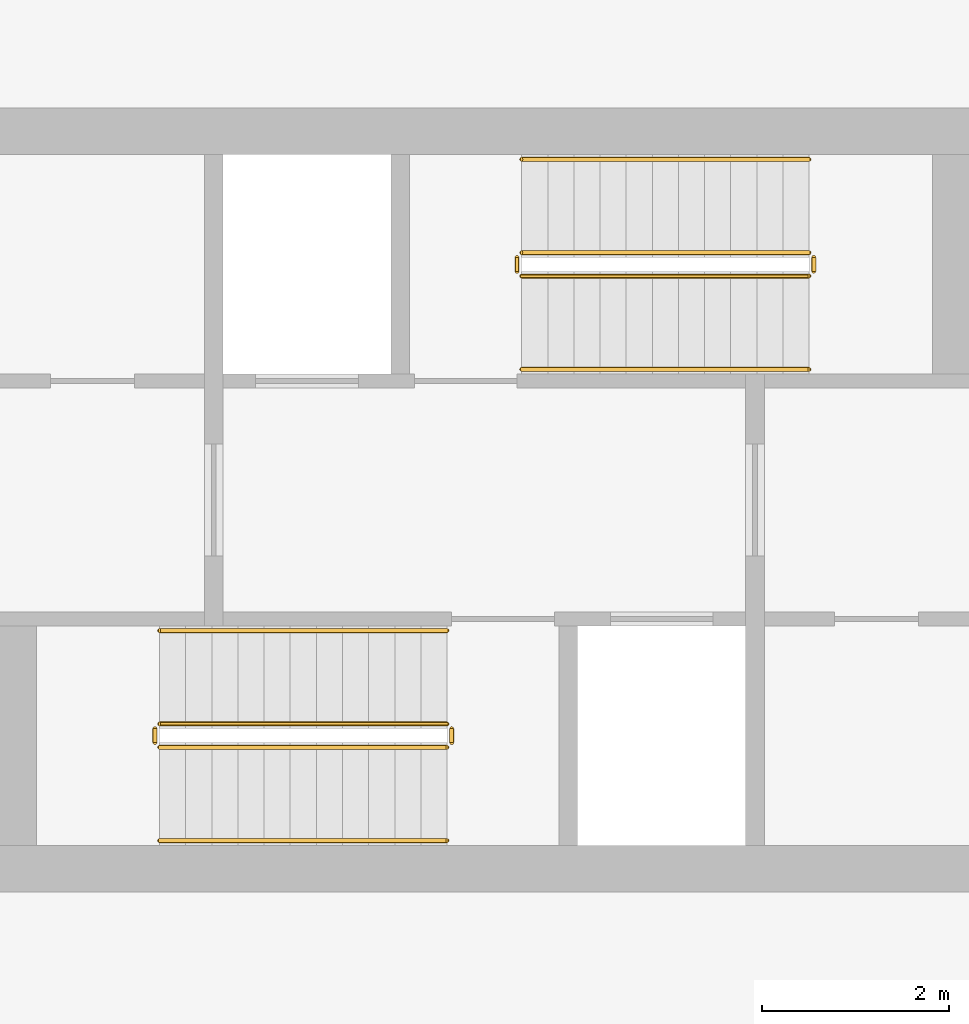
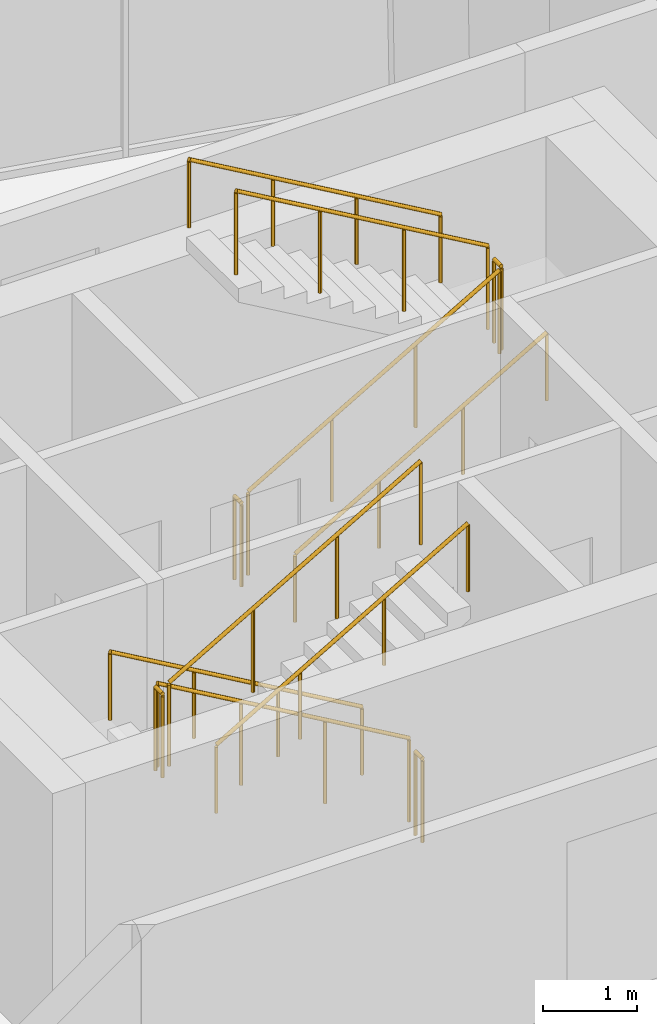
# One storey, part 10 of 10: 12 railings.
"""IFC4 building model written with IfcOpenShell, lengths in metres."""

from ifc_helpers import new_model, si_unit, direction, frame, origin, origin_2d, place, context, subcontext, project, spatial, circle, extrude, material, type_object, element, save


model = new_model("IFC4")

# Units and contexts
model_context = context("Model", 3, precision=1e-05, world=origin(), true_north=direction((0.0, 1.0)))
body_context = subcontext(model_context, "Body", "Model", "MODEL_VIEW")
ifc_project = project(units=[si_unit("LENGTHUNIT", "METRE"), si_unit("AREAUNIT", "SQUARE_METRE"), si_unit("VOLUMEUNIT", "CUBIC_METRE"), si_unit("PLANEANGLEUNIT", "RADIAN"), si_unit("MASSUNIT", "GRAM", prefix="KILO")], contexts=[model_context])

# Site, building, storey
site_placement = place(None, origin())
site = spatial("IfcSite", under=ifc_project, at=site_placement, CompositionType="ELEMENT")
building_placement = place(site_placement, origin())
building = spatial("IfcBuilding", under=site, at=building_placement, Name="Siaravel Broadcast Tower", CompositionType="ELEMENT")
storey_placement = place(building_placement, frame((0.0, 0.0, 272.60009765625)))
storey = spatial("IfcBuildingStorey", under=building, at=storey_placement, Name="L66", CompositionType="ELEMENT", Elevation=272.60009765625)

# Railings
ifc_material = material(Name="Stainless steel 316L", Category="steel")
railing_type_1 = type_object("IfcRailingType", Name="Stair guard 1100", PredefinedType="GUARDRAIL", material=ifc_material)
railing_1_placement = place(storey_placement, frame((0.39990234375, 2.39990234375, 0.162353515625)))
element("IfcRailing", 1, at=railing_1_placement, inside=storey, type_object=railing_type_1, Name="L66 ST-C1 stair guard 1", PredefinedType="GUARDRAIL", context=body_context, shape_type="SweptSolid", body=[
    extrude(circle(Radius=0.02392578125, at=origin_2d()), frame((0.0, 0.0, 1.076171875), z_axis=(0.864890721, 0.0, 0.501960198), x_axis=(0.0, 1.0, 0.0)), (0.0, 0.0, 1.0), 3.561279296875),
    extrude(circle(Radius=0.02099609375, at=origin_2d()), origin(), (0.0, 0.0, 1.0), 1.052001953125),
    extrude(circle(Radius=0.02099609375, at=origin_2d()), frame((1.026611328125, 0.0, 0.595947265625)), (0.0, 0.0, 1.0), 1.052001953125),
    extrude(circle(Radius=0.02099609375, at=origin_2d()), frame((2.053466796875, 0.0, 1.191650390625)), (0.0, 0.0, 1.0), 1.052001953125),
    extrude(circle(Radius=0.02099609375, at=origin_2d()), frame((3.080078125, 0.0, 1.78759765625)), (0.0, 0.0, 1.0), 1.052001953125),
])
railing_2_placement = place(storey_placement, frame((3.530029296875, 2.449951171875, 1.949951171875)))
element("IfcRailing", 2, at=railing_2_placement, inside=storey, type_object=railing_type_1, Name="L66 ST-C1 stair guard 2", PredefinedType="GUARDRAIL", context=body_context, shape_type="SweptSolid", body=[
    extrude(circle(Radius=0.02392578125, at=origin_2d()), frame((0.0, 0.0, 1.076171875), z_axis=(0.0, 1.0, 0.0), x_axis=(-1.0, 0.0, 0.0)), (0.0, 0.0, 1.0), 0.150146484375),
    extrude(circle(Radius=0.02099609375, at=origin_2d()), origin(), (0.0, 0.0, 1.0), 1.052001953125),
    extrude(circle(Radius=0.02099609375, at=origin_2d()), frame((0.0, 0.150146484375, 0.0)), (0.0, 0.0, 1.0), 1.052001953125),
])
railing_3_placement = place(storey_placement, frame((3.47998046875, 2.64990234375, 2.1123046875)))
element("IfcRailing", 3, at=railing_3_placement, inside=storey, type_object=railing_type_1, Name="L66 ST-C1 stair guard 3", PredefinedType="GUARDRAIL", context=body_context, shape_type="SweptSolid", body=[
    extrude(circle(Radius=0.02392578125, at=origin_2d()), frame((0.0, 0.0, 1.076171875), z_axis=(-0.864890721, 0.0, 0.501960198), x_axis=(0.0, -1.0, 0.0)), (0.0, 0.0, 1.0), 3.561279296875),
    extrude(circle(Radius=0.02099609375, at=origin_2d()), origin(), (0.0, 0.0, 1.0), 1.052001953125),
    extrude(circle(Radius=0.02099609375, at=origin_2d()), frame((-1.026611328125, 0.0, 0.595947265625)), (0.0, 0.0, 1.0), 1.052001953125),
    extrude(circle(Radius=0.02099609375, at=origin_2d()), frame((-2.053466796875, 0.0, 1.191650390625)), (0.0, 0.0, 1.0), 1.052001953125),
    extrude(circle(Radius=0.02099609375, at=origin_2d()), frame((-3.080078125, 0.0, 1.78759765625)), (0.0, 0.0, 1.0), 1.052001953125),
])
railing_4_placement = place(storey_placement, frame((0.35009765625, 2.449951171875, 0.0)))
element("IfcRailing", 4, at=railing_4_placement, inside=storey, type_object=railing_type_1, Name="L66 ST-C1 stair guard 4", PredefinedType="GUARDRAIL", context=body_context, shape_type="SweptSolid", body=[
    extrude(circle(Radius=0.02392578125, at=origin_2d()), frame((0.0, 0.0, 1.076171875), z_axis=(0.0, 1.0, 0.0), x_axis=(-1.0, 0.0, 0.0)), (0.0, 0.0, 1.0), 0.150146484375),
    extrude(circle(Radius=0.02099609375, at=origin_2d()), origin(), (0.0, 0.0, 1.0), 1.052001953125),
    extrude(circle(Radius=0.02099609375, at=origin_2d()), frame((0.0, 0.150146484375, 0.0)), (0.0, 0.0, 1.0), 1.052001953125),
])
railing_5_placement = place(storey_placement, frame((-0.39990234375, -2.39990234375, 0.162353515625)))
element("IfcRailing", 5, at=railing_5_placement, inside=storey, type_object=railing_type_1, Name="L66 ST-C2 stair guard 1", PredefinedType="GUARDRAIL", context=body_context, shape_type="SweptSolid", body=[
    extrude(circle(Radius=0.02392578125, at=origin_2d()), frame((0.0, 0.0, 1.076171875), z_axis=(-0.864890721, 0.0, 0.501960198), x_axis=(0.0, -1.0, 0.0)), (0.0, 0.0, 1.0), 3.561279296875),
    extrude(circle(Radius=0.02099609375, at=origin_2d()), origin(), (0.0, 0.0, 1.0), 1.052001953125),
    extrude(circle(Radius=0.02099609375, at=origin_2d()), frame((-1.026611328125, 0.0, 0.595947265625)), (0.0, 0.0, 1.0), 1.052001953125),
    extrude(circle(Radius=0.02099609375, at=origin_2d()), frame((-2.053466796875, 0.0, 1.191650390625)), (0.0, 0.0, 1.0), 1.052001953125),
    extrude(circle(Radius=0.02099609375, at=origin_2d()), frame((-3.080078125, 0.0, 1.78759765625)), (0.0, 0.0, 1.0), 1.052001953125),
])
railing_6_placement = place(storey_placement, frame((-3.530029296875, -2.449951171875, 1.949951171875)))
element("IfcRailing", 6, at=railing_6_placement, inside=storey, type_object=railing_type_1, Name="L66 ST-C2 stair guard 2", PredefinedType="GUARDRAIL", context=body_context, shape_type="SweptSolid", body=[
    extrude(circle(Radius=0.02392578125, at=origin_2d()), frame((0.0, 0.0, 1.076171875), z_axis=(0.0, -1.0, 0.0), x_axis=(1.0, 0.0, 0.0)), (0.0, 0.0, 1.0), 0.150146484375),
    extrude(circle(Radius=0.02099609375, at=origin_2d()), origin(), (0.0, 0.0, 1.0), 1.052001953125),
    extrude(circle(Radius=0.02099609375, at=origin_2d()), frame((0.0, -0.150146484375, 0.0)), (0.0, 0.0, 1.0), 1.052001953125),
])
railing_7_placement = place(storey_placement, frame((-3.47998046875, -2.64990234375, 2.1123046875)))
element("IfcRailing", 7, at=railing_7_placement, inside=storey, type_object=railing_type_1, Name="L66 ST-C2 stair guard 3", PredefinedType="GUARDRAIL", context=body_context, shape_type="SweptSolid", body=[
    extrude(circle(Radius=0.02392578125, at=origin_2d()), frame((0.0, 0.0, 1.076171875), z_axis=(0.864890721, 0.0, 0.501960198), x_axis=(0.0, 1.0, 0.0)), (0.0, 0.0, 1.0), 3.561279296875),
    extrude(circle(Radius=0.02099609375, at=origin_2d()), origin(), (0.0, 0.0, 1.0), 1.052001953125),
    extrude(circle(Radius=0.02099609375, at=origin_2d()), frame((1.026611328125, 0.0, 0.595947265625)), (0.0, 0.0, 1.0), 1.052001953125),
    extrude(circle(Radius=0.02099609375, at=origin_2d()), frame((2.053466796875, 0.0, 1.191650390625)), (0.0, 0.0, 1.0), 1.052001953125),
    extrude(circle(Radius=0.02099609375, at=origin_2d()), frame((3.080078125, 0.0, 1.78759765625)), (0.0, 0.0, 1.0), 1.052001953125),
])
railing_8_placement = place(storey_placement, frame((-0.35009765625, -2.449951171875, 0.0)))
element("IfcRailing", 8, at=railing_8_placement, inside=storey, type_object=railing_type_1, Name="L66 ST-C2 stair guard 4", PredefinedType="GUARDRAIL", context=body_context, shape_type="SweptSolid", body=[
    extrude(circle(Radius=0.02392578125, at=origin_2d()), frame((0.0, 0.0, 1.076171875), z_axis=(0.0, -1.0, 0.0), x_axis=(1.0, 0.0, 0.0)), (0.0, 0.0, 1.0), 0.150146484375),
    extrude(circle(Radius=0.02099609375, at=origin_2d()), origin(), (0.0, 0.0, 1.0), 1.052001953125),
    extrude(circle(Radius=0.02099609375, at=origin_2d()), frame((0.0, -0.150146484375, 0.0)), (0.0, 0.0, 1.0), 1.052001953125),
])
railing_type_2 = type_object("IfcRailingType", Name="Stair handrail 900", PredefinedType="HANDRAIL", material=ifc_material)
railing_9_placement = place(storey_placement, frame((0.39990234375, 1.39990234375, 0.162353515625)))
element("IfcRailing", 9, at=railing_9_placement, inside=storey, type_object=railing_type_2, Name="L66 ST-C1 stair handrail 1", PredefinedType="HANDRAIL", context=body_context, shape_type="SweptSolid", body=[
    extrude(circle(Radius=0.02392578125, at=origin_2d()), frame((0.0, 0.0, 0.8759765625), z_axis=(0.864890721, 0.0, 0.501960198), x_axis=(0.0, 1.0, 0.0)), (0.0, 0.0, 1.0), 3.561279296875),
    extrude(circle(Radius=0.02099609375, at=origin_2d()), origin(), (0.0, 0.0, 1.0), 0.851806640625),
    extrude(circle(Radius=0.02099609375, at=origin_2d()), frame((1.026611328125, 0.0, 0.595947265625)), (0.0, 0.0, 1.0), 0.851806640625),
    extrude(circle(Radius=0.02099609375, at=origin_2d()), frame((2.053466796875, 0.0, 1.191650390625)), (0.0, 0.0, 1.0), 0.851806640625),
    extrude(circle(Radius=0.02099609375, at=origin_2d()), frame((3.080078125, 0.0, 1.78759765625)), (0.0, 0.0, 1.0), 0.851806640625),
])
for number, where, name in (
    (10, (3.47998046875, 3.64990234375, 2.1123046875), "L66 ST-C1 stair handrail 2"),
    (11, (-0.39990234375, -1.39990234375, 0.162353515625), "L66 ST-C2 stair handrail 1"),
):
    element("IfcRailing", number, at=place(storey_placement, frame(where)), inside=storey, type_object=railing_type_2, Name=name, PredefinedType="HANDRAIL", context=body_context, shape_type="SweptSolid", body=[
        extrude(circle(Radius=0.02392578125, at=origin_2d()), frame((0.0, 0.0, 0.8759765625), z_axis=(-0.864890721, 0.0, 0.501960198), x_axis=(0.0, -1.0, 0.0)), (0.0, 0.0, 1.0), 3.561279296875),
        extrude(circle(Radius=0.02099609375, at=origin_2d()), origin(), (0.0, 0.0, 1.0), 0.851806640625),
        extrude(circle(Radius=0.02099609375, at=origin_2d()), frame((-1.026611328125, 0.0, 0.595947265625)), (0.0, 0.0, 1.0), 0.851806640625),
        extrude(circle(Radius=0.02099609375, at=origin_2d()), frame((-2.053466796875, 0.0, 1.191650390625)), (0.0, 0.0, 1.0), 0.851806640625),
        extrude(circle(Radius=0.02099609375, at=origin_2d()), frame((-3.080078125, 0.0, 1.78759765625)), (0.0, 0.0, 1.0), 0.851806640625),
    ])
railing_10_placement = place(storey_placement, frame((-3.47998046875, -3.64990234375, 2.1123046875)))
element("IfcRailing", 12, at=railing_10_placement, inside=storey, type_object=railing_type_2, Name="L66 ST-C2 stair handrail 2", PredefinedType="HANDRAIL", context=body_context, shape_type="SweptSolid", body=[
    extrude(circle(Radius=0.02392578125, at=origin_2d()), frame((0.0, 0.0, 0.8759765625), z_axis=(0.864890721, 0.0, 0.501960198), x_axis=(0.0, 1.0, 0.0)), (0.0, 0.0, 1.0), 3.561279296875),
    extrude(circle(Radius=0.02099609375, at=origin_2d()), origin(), (0.0, 0.0, 1.0), 0.851806640625),
    extrude(circle(Radius=0.02099609375, at=origin_2d()), frame((1.026611328125, 0.0, 0.595947265625)), (0.0, 0.0, 1.0), 0.851806640625),
    extrude(circle(Radius=0.02099609375, at=origin_2d()), frame((2.053466796875, 0.0, 1.191650390625)), (0.0, 0.0, 1.0), 0.851806640625),
    extrude(circle(Radius=0.02099609375, at=origin_2d()), frame((3.080078125, 0.0, 1.78759765625)), (0.0, 0.0, 1.0), 0.851806640625),
])

save(model, "model.ifc")
